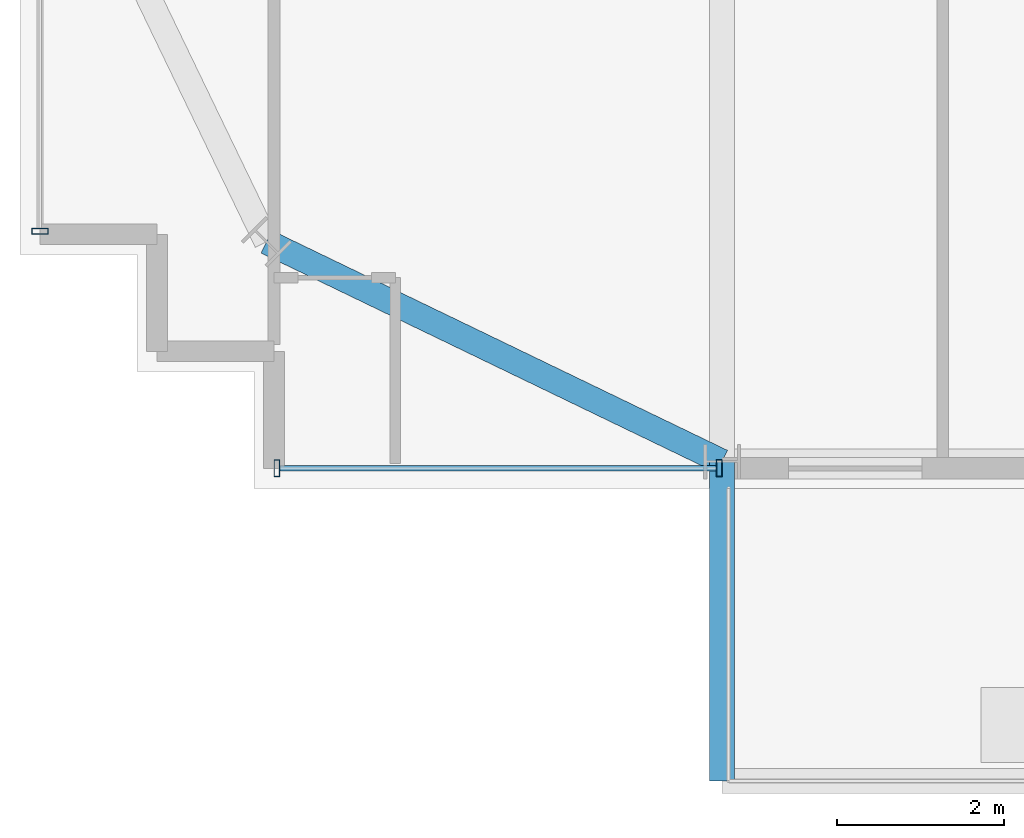
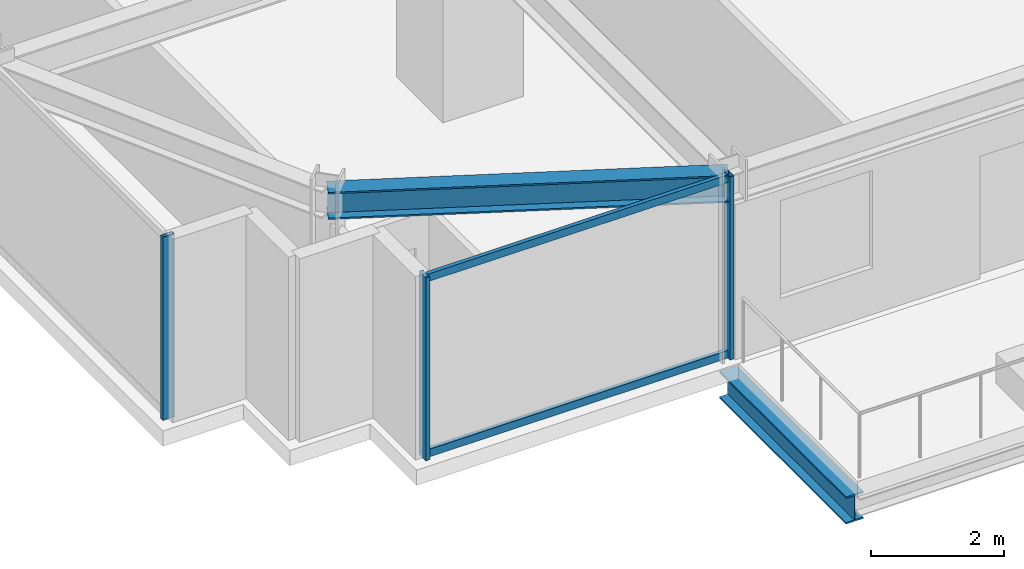
# One storey, part 3 of 43: 5 members, 2 beams, 2 elements without a shape of their own.
"""IFC4 building model written with IfcOpenShell, lengths in metres."""

from ifc_helpers import new_model, si_unit, direction, frame, origin, origin_2d, place, context, subcontext, project, spatial, hollow_rectangle, i_section, extrude, source, transform, mapped, material, material_profile, profile_set, type_object, element, aggregate, save


model = new_model("IFC4")

# Units and contexts
model_context = context("Model", 3, precision=1e-05, world=origin(), true_north=direction((0.0, 1.0)))
body_context = subcontext(model_context, "Body", "Model", "MODEL_VIEW")
ifc_project = project(units=[si_unit("LENGTHUNIT", "METRE"), si_unit("AREAUNIT", "SQUARE_METRE"), si_unit("VOLUMEUNIT", "CUBIC_METRE"), si_unit("PLANEANGLEUNIT", "RADIAN"), si_unit("MASSUNIT", "GRAM", prefix="KILO")], contexts=[model_context])

# Site, building, storey
site_placement = place(None, origin())
site = spatial("IfcSite", under=ifc_project, at=site_placement, CompositionType="ELEMENT")
building_placement = place(site_placement, origin())
building = spatial("IfcBuilding", under=site, at=building_placement, Name="Nahalor Promenade Grand Hotel", CompositionType="ELEMENT")
storey_placement = place(building_placement, frame((0.0, 0.0, 57.949951171875)))
storey = spatial("IfcBuildingStorey", under=building, at=storey_placement, Name="L13", CompositionType="ELEMENT", Elevation=57.949951171875)

# Beams
ifc_material_1 = material(Name="Steel S355JR", Category="steel")
ifc_material_profile_1 = material_profile(ifc_material_1, i_section(OverallWidth=0.3, OverallDepth=0.5, WebThickness=0.0145, FlangeThickness=0.028, at=origin_2d()), Name="HEB 500")
ifc_profile_set_1 = profile_set([ifc_material_profile_1], Name="Steel S355JR")
beam_type_1 = type_object("IfcBeamType", Name="Beam-Outrigger-HEB500", PredefinedType="BEAM", material=ifc_profile_set_1)
shared_shape_1 = source(origin(), body_context, "Body", "SweptSolid", [
    extrude(i_section(OverallWidth=0.3, OverallDepth=0.5, WebThickness=0.0145, FlangeThickness=0.028, at=origin_2d()), origin(), (0.0, 0.0, 1.0), 3.81982421875),
])
beam_1_placement = place(storey_placement, frame((-17.0, -28.89990234375, -0.530029296875), z_axis=(0.0, 1.0, 0.0), x_axis=(-1.0, 0.0, 0.0)))
element("IfcBeam", 1, at=beam_1_placement, inside=storey, type_object=beam_type_1, Name="BM-L13-BC-01-1", PredefinedType="BEAM", context=body_context, shape_type="MappedRepresentation", body=[
    mapped(shared_shape_1, transform((0.0, 0.0, 0.0), scale=1.0)),
])
ifc_material_profile_2 = material_profile(ifc_material_1, i_section(OverallWidth=0.3, OverallDepth=0.5, WebThickness=0.0145, FlangeThickness=0.028, at=origin_2d()), Name="HEB 500")
ifc_profile_set_2 = profile_set([ifc_material_profile_2], Name="Steel S355JR")
beam_type_2 = type_object("IfcBeamType", Name="Beam-Spandrel-HEB500", PredefinedType="SPANDREL", material=ifc_profile_set_2)
shared_shape_2 = source(origin(), body_context, "Body", "SweptSolid", [
    extrude(i_section(OverallWidth=0.3, OverallDepth=0.5, WebThickness=0.0145, FlangeThickness=0.028, at=origin_2d()), origin(), (0.0, 0.0, 1.0), 6.051513671875),
])
beam_2_placement = place(storey_placement, frame((-17.0, -25.080078125, 3.1201171875), z_axis=(-0.900608818852, 0.434630596492, 0.0), x_axis=(-0.434630596492, -0.900608818852, 0.0)))
element("IfcBeam", 2, at=beam_2_placement, inside=storey, type_object=beam_type_2, Name="BM-L13-SPC-SW-1", PredefinedType="SPANDREL", context=body_context, shape_type="MappedRepresentation", body=[
    mapped(shared_shape_2, transform((0.0, 0.0, 0.0), scale=1.0)),
])

# Curtain wall, members
ifc_material_2 = material(Name="Anodised Bronze Aluminium EN AW-6063 T6", Category="aluminium")
curtain_wall_type = type_object("IfcCurtainWallType", Name="CW3 Elliptical-Void Collar Unitised Curtain Wall", PredefinedType="USERDEFINED", material=ifc_material_2)
curtain_wall_1_placement = place(storey_placement, origin())
curtain_wall_1 = element("IfcCurtainWall", 3, at=curtain_wall_1_placement, inside=storey, type_object=curtain_wall_type, Name="L13 Curtain Wall CW-L13-S-1", ObjectType="UNITISED_CURTAIN_WALL", PredefinedType="USERDEFINED")
ifc_material_profile_3 = material_profile(ifc_material_2, hollow_rectangle(XDim=0.07, YDim=0.14, WallThickness=0.004, at=origin_2d()), Name="CWT 70x140x4")
ifc_profile_set_3 = profile_set([ifc_material_profile_3], Name="Anodised Bronze Aluminium EN AW-6063 T6")
member_type_1 = type_object("IfcMemberType", Name="CWT3 Void Collar Transom 70x140", PredefinedType="USERDEFINED", material=ifc_profile_set_3)
shared_shape_3 = source(origin(), body_context, "Body", "SweptSolid", [
    extrude(hollow_rectangle(XDim=0.07, YDim=0.14, WallThickness=0.004, at=origin_2d()), origin(), (0.0, 0.0, 1.0), 5.219970703125),
])
member_1_placement = place(storey_placement, frame((-22.2900390625, -25.159912109375, 0.070068359375), z_axis=(1.0, 0.0, 0.0), x_axis=(0.0, 1.0, 0.0)))
member_1 = element("IfcMember", 4, at=member_1_placement, type_object=member_type_1, Name="CW-L13-S-1 Transom 0-0", ObjectType="TRANSOM", PredefinedType="USERDEFINED", context=body_context, shape_type="MappedRepresentation", body=[
    mapped(shared_shape_3, transform((0.0, 0.0, 0.0), scale=1.0)),
])
member_2_placement = place(storey_placement, frame((-22.2900390625, -25.159912109375, 3.300048828125), z_axis=(1.0, 0.0, 0.0), x_axis=(0.0, 1.0, 0.0)))
member_2 = element("IfcMember", 5, at=member_2_placement, type_object=member_type_1, Name="CW-L13-S-1 Transom 0-1", ObjectType="TRANSOM", PredefinedType="USERDEFINED", context=body_context, shape_type="MappedRepresentation", body=[
    mapped(shared_shape_3, transform((0.0, 0.0, 0.0), scale=1.0)),
])
ifc_material_profile_4 = material_profile(ifc_material_2, hollow_rectangle(XDim=0.07, YDim=0.2, WallThickness=0.005, at=origin_2d()), Name="CWM 70x200x5")
ifc_profile_set_4 = profile_set([ifc_material_profile_4], Name="Anodised Bronze Aluminium EN AW-6063 T6")
member_type_2 = type_object("IfcMemberType", Name="CWM3 Void Collar Mullion 70x200", PredefinedType="MULLION", material=ifc_profile_set_4)
shared_shape_4 = source(origin(), body_context, "Body", "SweptSolid", [
    extrude(hollow_rectangle(XDim=0.07, YDim=0.2, WallThickness=0.005, at=origin_2d()), origin(), (0.0, 0.0, 1.0), 3.3701171875),
])
member_3_placement = place(storey_placement, frame((-22.324951171875, -25.159912109375, 0.0), z_axis=(0.0, 0.0, 1.0), x_axis=(1.0, 0.0, 0.0)))
member_3 = element("IfcMember", 6, at=member_3_placement, type_object=member_type_2, Name="CW-L13-S-1 Mullion 0", PredefinedType="MULLION", context=body_context, shape_type="MappedRepresentation", body=[
    mapped(shared_shape_4, transform((0.0, 0.0, 0.0), scale=1.0)),
])
member_4_placement = place(storey_placement, frame((-17.034912109375, -25.159912109375, 0.0), z_axis=(0.0, 0.0, 1.0), x_axis=(1.0, 0.0, 0.0)))
member_4 = element("IfcMember", 7, at=member_4_placement, type_object=member_type_2, Name="CW-L13-S-1 Mullion 1", PredefinedType="MULLION", context=body_context, shape_type="MappedRepresentation", body=[
    mapped(shared_shape_4, transform((0.0, 0.0, 0.0), scale=1.0)),
])
aggregate(curtain_wall_1, [member_3, member_4, member_1, member_2])

# Curtain wall, member
curtain_wall_2_placement = place(storey_placement, origin())
curtain_wall_2 = element("IfcCurtainWall", 8, at=curtain_wall_2_placement, inside=storey, type_object=curtain_wall_type, Name="L13 Curtain Wall CW-L13-W-1", ObjectType="UNITISED_CURTAIN_WALL", PredefinedType="USERDEFINED")
member_5_placement = place(storey_placement, frame((-25.159912109375, -22.324951171875, 0.0), z_axis=(0.0, 0.0, 1.0), x_axis=(0.0, 1.0, 0.0)))
member_5 = element("IfcMember", 9, at=member_5_placement, type_object=member_type_2, Name="CW-L13-W-1 Mullion 0", PredefinedType="MULLION", context=body_context, shape_type="MappedRepresentation", body=[
    mapped(shared_shape_4, transform((0.0, 0.0, 0.0), scale=1.0)),
])
aggregate(curtain_wall_2, [member_5])

save(model, "model.ifc")
